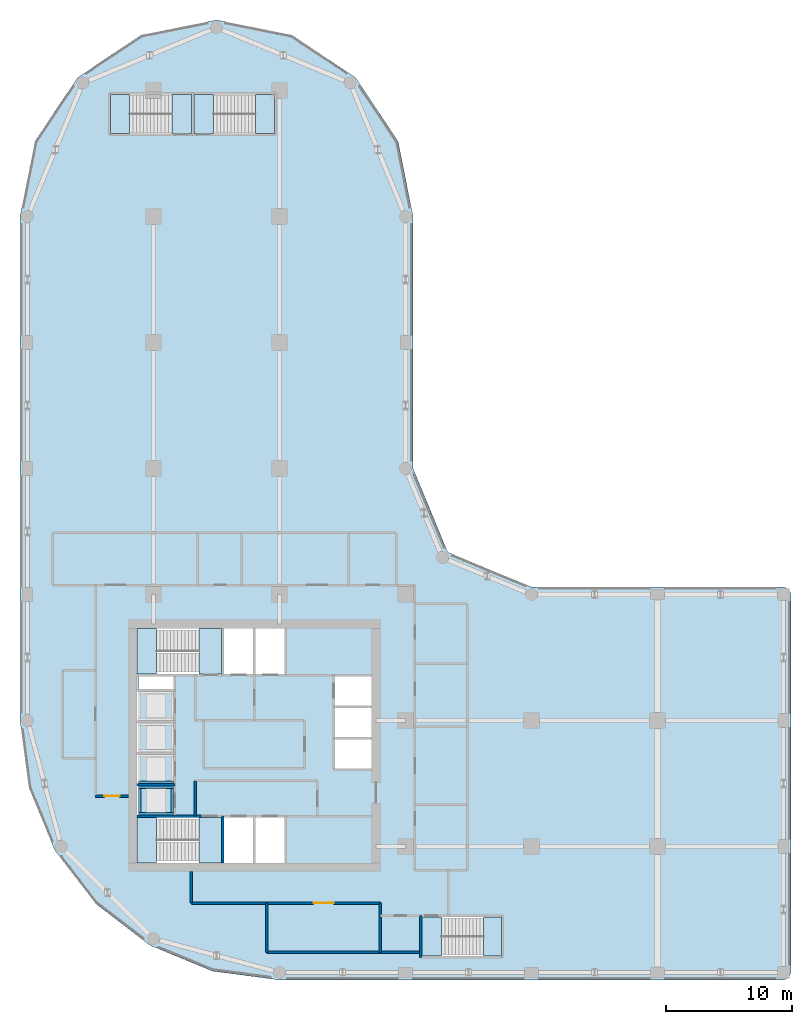
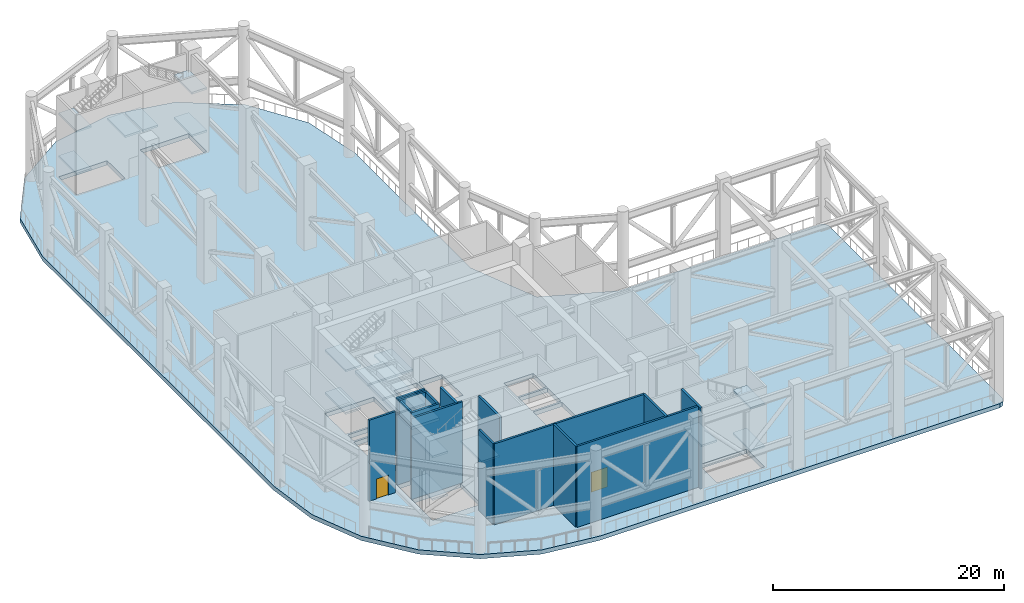
# One storey, part 6 of 13: 20 slabs, 16 walls, 2 doors, 2 openings, 5 elements without a shape of their own.
"""IFC4 building model written with IfcOpenShell, lengths in metres."""

from ifc_helpers import new_model, si_unit, direction, frame, frame_2d, origin, place, context, subcontext, project, spatial, polyline, rectangle, outline, extrude, material, layer, layer_set, type_object, element, fill, aggregate, save


model = new_model("IFC4")

# Units and contexts
model_context = context("Model", 3, precision=1e-05, world=origin(), true_north=direction((0.0, 1.0)))
body_context = subcontext(model_context, "Body", "Model", "MODEL_VIEW")
ifc_project = project(units=[si_unit("LENGTHUNIT", "METRE"), si_unit("AREAUNIT", "SQUARE_METRE"), si_unit("VOLUMEUNIT", "CUBIC_METRE"), si_unit("PLANEANGLEUNIT", "RADIAN"), si_unit("MASSUNIT", "GRAM", prefix="KILO")], contexts=[model_context])

# Site, building, storey
site_placement = place(None, origin())
site = spatial("IfcSite", under=ifc_project, at=site_placement, CompositionType="ELEMENT")
building_placement = place(site_placement, origin())
building = spatial("IfcBuilding", under=site, at=building_placement, Name="Qaws Garden Tower", CompositionType="ELEMENT")
storey_placement = place(building_placement, frame((0.0, 0.0, 237.0)))
storey = spatial("IfcBuildingStorey", under=building, at=storey_placement, Name="L58", CompositionType="ELEMENT", Elevation=237.0)

# Slabs
ifc_material_1 = material(Name="Concrete C45", Category="concrete")
ifc_layer_1 = layer(ifc_material_1, 0.449951171875)
ifc_layer_set_1 = layer_set([ifc_layer_1], Name="Concrete C45")
slab_type_1 = type_object("IfcSlabType", Name="Floor slab 450 C45", PredefinedType="FLOOR", material=ifc_layer_set_1)
slab_1_placement = place(storey_placement, frame((0.0, 0.0, -0.449951171875)))
element("IfcSlab", 1, at=slab_1_placement, inside=storey, type_object=slab_type_1, Name="Floor slab L58", PredefinedType="FLOOR", context=body_context, shape_type="SweptSolid", body=[
    extrude(outline(polyline([(0.101806640625, 14.668212890625), (-0.60009765625, 20.0), (-0.60009765625, 30.60009765625), (-0.60009765625, 60.0), (-0.60009765625, 60.0), (0.58740234375, 65.969970703125), (3.968994140625, 71.031005859375), (9.030029296875, 74.41259765625), (15.0, 75.60009765625), (20.969970703125, 74.41259765625), (26.031005859375, 71.031005859375), (29.41259765625, 65.969970703125), (30.60009765625, 60.0), (30.60009765625, 40.0), (33.353271484375, 33.353271484375), (40.0, 30.60009765625), (60.0, 30.60009765625), (60.42431640625, 30.42431640625), (60.60009765625, 30.0), (60.60009765625, 0.0), (60.42431640625, -0.42431640625), (60.0, -0.60009765625), (30.60009765625, -0.60009765625), (20.0, -0.60009765625), (14.668212890625, 0.101806640625), (9.699951171875, 2.159912109375), (5.43359375, 5.43359375), (2.159912109375, 9.699951171875), (0.101806640625, 14.668212890625)]), holes=[polyline([(13.599609375, 12.300048828125), (8.699951171875, 12.300048828125), (8.699951171875, 8.699951171875), (13.599609375, 8.699951171875), (13.599609375, 12.300048828125)]), polyline([(17.89990234375, 12.300048828125), (15.60009765625, 12.300048828125), (15.60009765625, 8.699951171875), (17.89990234375, 8.699951171875), (17.89990234375, 12.300048828125)]), polyline([(11.60009765625, 14.800048828125), (8.699951171875, 14.800048828125), (8.699951171875, 12.5), (11.60009765625, 12.5), (11.60009765625, 14.800048828125)]), polyline([(11.60009765625, 17.300048828125), (8.699951171875, 17.300048828125), (8.699951171875, 15.0), (11.60009765625, 15.0), (11.60009765625, 17.300048828125)]), polyline([(11.60009765625, 19.800048828125), (8.699951171875, 19.800048828125), (8.699951171875, 17.5), (11.60009765625, 17.5), (11.60009765625, 19.800048828125)]), polyline([(11.60009765625, 22.300048828125), (8.699951171875, 22.300048828125), (8.699951171875, 20.0), (11.60009765625, 20.0), (11.60009765625, 22.300048828125)]), polyline([(11.60009765625, 23.5), (8.800048828125, 23.5), (8.800048828125, 22.5), (11.60009765625, 22.5), (11.60009765625, 23.5)]), polyline([(13.599609375, 27.300048828125), (8.699951171875, 27.300048828125), (8.699951171875, 23.699951171875), (13.599609375, 23.699951171875), (13.599609375, 27.300048828125)]), polyline([(11.449462890625, 69.699951171875), (6.60009765625, 69.699951171875), (6.60009765625, 66.60009765625), (11.449462890625, 66.60009765625), (11.449462890625, 69.699951171875)]), polyline([(37.60009765625, 4.39990234375), (32.8505859375, 4.39990234375), (32.8505859375, 1.300048828125), (37.60009765625, 1.300048828125), (37.60009765625, 4.39990234375)]), polyline([(20.39990234375, 12.300048828125), (18.10009765625, 12.300048828125), (18.10009765625, 8.699951171875), (20.39990234375, 8.699951171875), (20.39990234375, 12.300048828125)]), polyline([(27.300048828125, 18.5), (24.39990234375, 18.5), (24.39990234375, 16.199951171875), (27.300048828125, 16.199951171875), (27.300048828125, 18.5)]), polyline([(27.300048828125, 21.0), (24.39990234375, 21.0), (24.39990234375, 18.699951171875), (27.300048828125, 18.699951171875), (27.300048828125, 21.0)]), polyline([(27.300048828125, 23.5), (24.39990234375, 23.5), (24.39990234375, 21.199951171875), (27.300048828125, 21.199951171875), (27.300048828125, 23.5)]), polyline([(17.89990234375, 27.300048828125), (15.60009765625, 27.300048828125), (15.60009765625, 23.699951171875), (17.89990234375, 23.699951171875), (17.89990234375, 27.300048828125)]), polyline([(20.39990234375, 23.699951171875), (20.39990234375, 27.300048828125), (18.10009765625, 27.300048828125), (18.10009765625, 23.699951171875), (20.39990234375, 23.699951171875)]), polyline([(19.60009765625, 66.60009765625), (19.60009765625, 69.699951171875), (14.75048828125, 69.699951171875), (14.75048828125, 66.60009765625), (19.60009765625, 66.60009765625)])]), origin(), (0.0, 0.0, 1.0), 0.449951171875),
])
ifc_material_2 = material(Name="Concrete C60", Category="concrete")
ifc_layer_2 = layer(ifc_material_2, 0.300048828125)
ifc_layer_set_2 = layer_set([ifc_layer_2], Name="Concrete C60")
slab_type_2 = type_object("IfcSlabType", Name="Lift pit floor 300", PredefinedType="USERDEFINED", material=ifc_layer_set_2)
placement_1 = place(storey_placement, frame((0.0, 0.0, 7.199951171875)))
element("IfcSlab", 2, at=placement_1, inside=storey, type_object=slab_type_2, Name="Lift W1 pit floor", ObjectType="Lift pit floor", PredefinedType="USERDEFINED", context=body_context, shape_type="SweptSolid", body=[
    extrude(outline(polyline([(8.800048828125, 12.5), (11.60009765625, 12.5), (11.60009765625, 14.800048828125), (8.800048828125, 14.800048828125), (8.800048828125, 12.5)])), origin(), (0.0, 0.0, 1.0), 0.300048828125),
])
element("IfcSlab", 3, at=placement_1, inside=storey, type_object=slab_type_2, Name="Lift W2 pit floor", ObjectType="Lift pit floor", PredefinedType="USERDEFINED", context=body_context, shape_type="SweptSolid", body=[
    extrude(outline(polyline([(8.800048828125, 15.0), (11.60009765625, 15.0), (11.60009765625, 17.300048828125), (8.800048828125, 17.300048828125), (8.800048828125, 15.0)])), origin(), (0.0, 0.0, 1.0), 0.300048828125),
])
element("IfcSlab", 4, at=placement_1, inside=storey, type_object=slab_type_2, Name="Lift W3 pit floor", ObjectType="Lift pit floor", PredefinedType="USERDEFINED", context=body_context, shape_type="SweptSolid", body=[
    extrude(outline(polyline([(8.800048828125, 17.5), (11.60009765625, 17.5), (11.60009765625, 19.800048828125), (8.800048828125, 19.800048828125), (8.800048828125, 17.5)])), origin(), (0.0, 0.0, 1.0), 0.300048828125),
])
element("IfcSlab", 5, at=placement_1, inside=storey, type_object=slab_type_2, Name="Lift W4 pit floor", ObjectType="Lift pit floor", PredefinedType="USERDEFINED", context=body_context, shape_type="SweptSolid", body=[
    extrude(outline(polyline([(8.800048828125, 20.0), (11.60009765625, 20.0), (11.60009765625, 22.300048828125), (8.800048828125, 22.300048828125), (8.800048828125, 20.0)])), origin(), (0.0, 0.0, 1.0), 0.300048828125),
])

# Stair, slabs
ifc_material_3 = material(Name="Concrete C40", Category="concrete")
stair_type_1 = type_object("IfcStairType", Name="Exit stair 1500", PredefinedType="HALF_TURN_STAIR", material=ifc_material_3)
placement_2 = place(storey_placement, origin())
stair_1 = element("IfcStair", 6, at=placement_2, inside=storey, type_object=stair_type_1, Name="Stair 1", PredefinedType="HALF_TURN_STAIR")
ifc_material_4 = material(Name="Concrete C40", Category="concrete")
ifc_layer_3 = layer(ifc_material_4, 0.199951171875)
ifc_layer_set_3 = layer_set([ifc_layer_3], Name="Concrete C40")
slab_type_3 = type_object("IfcSlabType", Name="Stair landing 200", PredefinedType="LANDING", material=ifc_layer_set_3)
placement_3 = place(storey_placement, frame((0.0, 0.0, 2.050048828125)))
slab_6 = element("IfcSlab", 7, at=placement_3, type_object=slab_type_3, Name="ST1 landing 1", PredefinedType="LANDING", context=body_context, shape_type="SweptSolid", body=[
    extrude(outline(polyline([(8.699951171875, 8.699951171875), (10.239990234375, 8.699951171875), (10.239990234375, 12.300048828125), (8.699951171875, 12.300048828125), (8.699951171875, 8.699951171875)])), origin(), (0.0, 0.0, 1.0), 0.199951171875),
])
placement_4 = place(storey_placement, frame((0.0, 0.0, 4.300048828125)))
slab_7 = element("IfcSlab", 8, at=placement_4, type_object=slab_type_3, Name="ST1 landing 2", PredefinedType="LANDING", context=body_context, shape_type="SweptSolid", body=[
    extrude(outline(polyline([(13.60009765625, 8.699951171875), (15.39990234375, 8.699951171875), (15.39990234375, 12.300048828125), (13.60009765625, 12.300048828125), (13.60009765625, 8.699951171875)])), origin(), (0.0, 0.0, 1.0), 0.199951171875),
])
placement_5 = place(storey_placement, frame((0.0, 0.0, 6.550048828125)))
slab_8 = element("IfcSlab", 9, at=placement_5, type_object=slab_type_3, Name="ST1 landing 3", PredefinedType="LANDING", context=body_context, shape_type="SweptSolid", body=[
    extrude(outline(polyline([(8.699951171875, 8.699951171875), (10.239990234375, 8.699951171875), (10.239990234375, 12.300048828125), (8.699951171875, 12.300048828125), (8.699951171875, 8.699951171875)])), origin(), (0.0, 0.0, 1.0), 0.199951171875),
])
aggregate(stair_1, [slab_6, slab_7, slab_8])

stair_2 = element("IfcStair", 10, at=placement_2, inside=storey, type_object=stair_type_1, Name="Stair 4", PredefinedType="HALF_TURN_STAIR")
slab_9 = element("IfcSlab", 11, at=placement_3, type_object=slab_type_3, Name="ST4 landing 1", PredefinedType="LANDING", context=body_context, shape_type="SweptSolid", body=[
    extrude(outline(polyline([(8.699951171875, 23.699951171875), (10.239990234375, 23.699951171875), (10.239990234375, 27.300048828125), (8.699951171875, 27.300048828125), (8.699951171875, 23.699951171875)])), origin(), (0.0, 0.0, 1.0), 0.199951171875),
])
slab_10 = element("IfcSlab", 12, at=placement_4, type_object=slab_type_3, Name="ST4 landing 2", PredefinedType="LANDING", context=body_context, shape_type="SweptSolid", body=[
    extrude(outline(polyline([(13.60009765625, 23.699951171875), (15.39990234375, 23.699951171875), (15.39990234375, 27.300048828125), (13.60009765625, 27.300048828125), (13.60009765625, 23.699951171875)])), origin(), (0.0, 0.0, 1.0), 0.199951171875),
])
slab_11 = element("IfcSlab", 13, at=placement_5, type_object=slab_type_3, Name="ST4 landing 3", PredefinedType="LANDING", context=body_context, shape_type="SweptSolid", body=[
    extrude(outline(polyline([(8.699951171875, 23.699951171875), (10.239990234375, 23.699951171875), (10.239990234375, 27.300048828125), (8.699951171875, 27.300048828125), (8.699951171875, 23.699951171875)])), origin(), (0.0, 0.0, 1.0), 0.199951171875),
])
aggregate(stair_2, [slab_9, slab_10, slab_11])

ifc_material_5 = material(Name="Concrete C40", Category="concrete")
stair_type_2 = type_object("IfcStairType", Name="Exit stair 1350", PredefinedType="HALF_TURN_STAIR", material=ifc_material_5)
stair_3 = element("IfcStair", 14, at=placement_2, inside=storey, type_object=stair_type_2, Name="Stair 5", PredefinedType="HALF_TURN_STAIR")
slab_12 = element("IfcSlab", 15, at=placement_3, type_object=slab_type_3, Name="ST5 landing 1", PredefinedType="LANDING", context=body_context, shape_type="SweptSolid", body=[
    extrude(outline(polyline([(36.2099609375, 1.300048828125), (37.60009765625, 1.300048828125), (37.60009765625, 4.39990234375), (36.2099609375, 4.39990234375), (36.2099609375, 1.300048828125)])), origin(), (0.0, 0.0, 1.0), 0.199951171875),
])
slab_13 = element("IfcSlab", 16, at=placement_4, type_object=slab_type_3, Name="ST5 landing 2", PredefinedType="LANDING", context=body_context, shape_type="SweptSolid", body=[
    extrude(outline(polyline([(31.300048828125, 1.300048828125), (32.85009765625, 1.300048828125), (32.85009765625, 4.39990234375), (31.300048828125, 4.39990234375), (31.300048828125, 1.300048828125)])), origin(), (0.0, 0.0, 1.0), 0.199951171875),
])
slab_14 = element("IfcSlab", 17, at=placement_5, type_object=slab_type_3, Name="ST5 landing 3", PredefinedType="LANDING", context=body_context, shape_type="SweptSolid", body=[
    extrude(outline(polyline([(36.2099609375, 1.300048828125), (37.60009765625, 1.300048828125), (37.60009765625, 4.39990234375), (36.2099609375, 4.39990234375), (36.2099609375, 1.300048828125)])), origin(), (0.0, 0.0, 1.0), 0.199951171875),
])
aggregate(stair_3, [slab_12, slab_13, slab_14])

stair_4 = element("IfcStair", 18, at=placement_2, inside=storey, type_object=stair_type_2, Name="Stair 6", PredefinedType="HALF_TURN_STAIR")
slab_15 = element("IfcSlab", 19, at=placement_3, type_object=slab_type_3, Name="ST6 landing 1", PredefinedType="LANDING", context=body_context, shape_type="SweptSolid", body=[
    extrude(outline(polyline([(6.60009765625, 66.60009765625), (8.090087890625, 66.60009765625), (8.090087890625, 69.699951171875), (6.60009765625, 69.699951171875), (6.60009765625, 66.60009765625)])), origin(), (0.0, 0.0, 1.0), 0.199951171875),
])
slab_16 = element("IfcSlab", 20, at=placement_4, type_object=slab_type_3, Name="ST6 landing 2", PredefinedType="LANDING", context=body_context, shape_type="SweptSolid", body=[
    extrude(outline(polyline([(11.449951171875, 66.60009765625), (13.0, 66.60009765625), (13.0, 69.699951171875), (11.449951171875, 69.699951171875), (11.449951171875, 66.60009765625)])), origin(), (0.0, 0.0, 1.0), 0.199951171875),
])
slab_17 = element("IfcSlab", 21, at=placement_5, type_object=slab_type_3, Name="ST6 landing 3", PredefinedType="LANDING", context=body_context, shape_type="SweptSolid", body=[
    extrude(outline(polyline([(6.60009765625, 66.60009765625), (8.090087890625, 66.60009765625), (8.090087890625, 69.699951171875), (6.60009765625, 69.699951171875), (6.60009765625, 66.60009765625)])), origin(), (0.0, 0.0, 1.0), 0.199951171875),
])
aggregate(stair_4, [slab_15, slab_16, slab_17])

stair_5 = element("IfcStair", 22, at=placement_2, inside=storey, type_object=stair_type_2, Name="Stair 7", PredefinedType="HALF_TURN_STAIR")
slab_18 = element("IfcSlab", 23, at=placement_3, type_object=slab_type_3, Name="ST7 landing 1", PredefinedType="LANDING", context=body_context, shape_type="SweptSolid", body=[
    extrude(outline(polyline([(18.110107421875, 66.60009765625), (19.60009765625, 66.60009765625), (19.60009765625, 69.699951171875), (18.110107421875, 69.699951171875), (18.110107421875, 66.60009765625)])), origin(), (0.0, 0.0, 1.0), 0.199951171875),
])
slab_19 = element("IfcSlab", 24, at=placement_4, type_object=slab_type_3, Name="ST7 landing 2", PredefinedType="LANDING", context=body_context, shape_type="SweptSolid", body=[
    extrude(outline(polyline([(13.199951171875, 66.60009765625), (14.75, 66.60009765625), (14.75, 69.699951171875), (13.199951171875, 69.699951171875), (13.199951171875, 66.60009765625)])), origin(), (0.0, 0.0, 1.0), 0.199951171875),
])
slab_20 = element("IfcSlab", 25, at=placement_5, type_object=slab_type_3, Name="ST7 landing 3", PredefinedType="LANDING", context=body_context, shape_type="SweptSolid", body=[
    extrude(outline(polyline([(18.110107421875, 66.60009765625), (19.60009765625, 66.60009765625), (19.60009765625, 69.699951171875), (18.110107421875, 69.699951171875), (18.110107421875, 66.60009765625)])), origin(), (0.0, 0.0, 1.0), 0.199951171875),
])
aggregate(stair_5, [slab_18, slab_19, slab_20])

# Walls
ifc_material_6 = material(Name="Concrete C70", Category="concrete")
ifc_layer_4 = layer(ifc_material_6, 0.199951171875)
ifc_layer_set_4 = layer_set([ifc_layer_4], Name="Concrete C70")
wall_type_1 = type_object("IfcWallType", Name="Core shaft wall 200 C70", PredefinedType="SHEAR", material=ifc_layer_set_4)
wall_1_placement = place(storey_placement, frame((8.699951171875, 12.39990234375, 0.0), z_axis=(0.0, 0.0, 1.0), x_axis=(1.0, 0.0, 0.0)))
element("IfcWall", 26, at=wall_1_placement, inside=storey, type_object=wall_type_1, Name="Shaft wall", PredefinedType="SHEAR", context=body_context, shape_type="SweptSolid", body=[
    extrude(rectangle(XDim=5.10009765625, YDim=0.199951171875, at=frame_2d((2.550048828125, 0.0))), origin(), (0.0, 0.0, 1.0), 8.550048828125),
])
wall_2_placement = place(storey_placement, frame((8.699951171875, 14.89990234375, 0.0), z_axis=(0.0, 0.0, 1.0), x_axis=(1.0, 0.0, 0.0)))
element("IfcWall", 27, at=wall_2_placement, inside=storey, type_object=wall_type_1, Name="Shaft wall", PredefinedType="SHEAR", context=body_context, shape_type="SweptSolid", body=[
    extrude(rectangle(XDim=3.0, YDim=0.199951171875, at=frame_2d((1.5, 0.0))), origin(), (0.0, 0.0, 1.0), 8.550048828125),
])
wall_3_placement = place(storey_placement, frame((13.300048828125, 12.39990234375, 0.0), z_axis=(0.0, 0.0, 1.0), x_axis=(0.0, 1.0, 0.0)))
element("IfcWall", 28, at=wall_3_placement, inside=storey, type_object=wall_type_1, Name="Shaft wall", PredefinedType="SHEAR", context=body_context, shape_type="SweptSolid", body=[
    extrude(rectangle(XDim=2.800048828125, YDim=0.199951171875, at=frame_2d((1.39990234375, 0.0))), origin(), (0.0, 0.0, 1.0), 8.550048828125),
])
wall_4_placement = place(storey_placement, frame((15.5, 8.699951171875, 0.0), z_axis=(0.0, 0.0, 1.0), x_axis=(0.0, 1.0, 0.0)))
element("IfcWall", 29, at=wall_4_placement, inside=storey, type_object=wall_type_1, Name="Shaft wall", PredefinedType="SHEAR", context=body_context, shape_type="SweptSolid", body=[
    extrude(rectangle(XDim=3.699951171875, YDim=0.199951171875, at=frame_2d((1.85009765625, 0.0))), origin(), (0.0, 0.0, 1.0), 8.550048828125),
])
wall_5_placement = place(storey_placement, frame((31.199951171875, 1.199951171875, 0.0), z_axis=(0.0, 0.0, 1.0), x_axis=(0.0, 1.0, 0.0)))
element("IfcWall", 30, at=wall_5_placement, inside=storey, type_object=wall_type_1, Name="Shaft wall", PredefinedType="SHEAR", context=body_context, shape_type="SweptSolid", body=[
    extrude(rectangle(XDim=3.300048828125, YDim=0.199951171875, at=frame_2d((1.64990234375, 0.0))), origin(), (0.0, 0.0, 1.0), 8.550048828125),
])
ifc_material_7 = material(Name="Concrete C60", Category="concrete")
ifc_layer_5 = layer(ifc_material_7, 0.199951171875)
ifc_layer_set_5 = layer_set([ifc_layer_5], Name="Concrete C60")
wall_type_2 = type_object("IfcWallType", Name="Lift pit wall 200", PredefinedType="SOLIDWALL", material=ifc_layer_set_5)
for number, where, z_axis, x_axis, name in (
    (31, (8.800048828125, 12.60009765625, 7.5), (0.0, 0.0, 1.0), (1.0, 0.0, 0.0), "Lift W1 pit wall"),
    (32, (8.800048828125, 14.699951171875, 7.5), (0.0, 0.0, 1.0), (1.0, 0.0, 0.0), "Lift W1 pit wall"),
):
    element("IfcWall", number, at=place(storey_placement, frame(where, z_axis=z_axis, x_axis=x_axis)), inside=storey, type_object=wall_type_2, Name=name, PredefinedType="SOLIDWALL", context=body_context, shape_type="SweptSolid", body=[
        extrude(rectangle(XDim=2.800048828125, YDim=0.199951171875, at=frame_2d((1.39990234375, 0.0))), origin(), (0.0, 0.0, 1.0), 1.5),
    ])
for number, where, z_axis, x_axis, name in (
    (33, (8.89990234375, 12.699951171875, 7.5), (0.0, 0.0, 1.0), (0.0, 1.0, 0.0), "Lift W1 pit wall"),
    (34, (11.5, 12.699951171875, 7.5), (0.0, 0.0, 1.0), (0.0, 1.0, 0.0), "Lift W1 pit wall"),
):
    element("IfcWall", number, at=place(storey_placement, frame(where, z_axis=z_axis, x_axis=x_axis)), inside=storey, type_object=wall_type_2, Name=name, PredefinedType="SOLIDWALL", context=body_context, shape_type="SweptSolid", body=[
        extrude(rectangle(XDim=1.900146484375, YDim=0.199951171875, at=frame_2d((0.9501953125, 0.0))), origin(), (0.0, 0.0, 1.0), 1.5),
    ])
wall_6_placement = place(storey_placement, frame((8.800048828125, 15.10009765625, 7.5), z_axis=(0.0, 0.0, 1.0), x_axis=(1.0, 0.0, 0.0)))
element("IfcWall", 35, at=wall_6_placement, inside=storey, type_object=wall_type_2, Name="Lift W2 pit wall", PredefinedType="SOLIDWALL", context=body_context, shape_type="SweptSolid", body=[
    extrude(rectangle(XDim=2.800048828125, YDim=0.199951171875, at=frame_2d((1.39990234375, 0.0))), origin(), (0.0, 0.0, 1.0), 1.5),
])

# Wall, opening, door
ifc_material_8 = material(Name="Blockwork", Category="masonry")
ifc_layer_6 = layer(ifc_material_8, 0.199951171875)
ifc_layer_set_6 = layer_set([ifc_layer_6], Name="Blockwork")
wall_type_3 = type_object("IfcWallType", Name="Plant compartment wall 200", PredefinedType="PARTITIONING", material=ifc_layer_set_6)
wall_7_placement = place(storey_placement, frame((5.39990234375, 14.0, 0.0), z_axis=(0.0, 0.0, 1.0), x_axis=(1.0, 0.0, 0.0)))
wall_7 = element("IfcWall", 36, at=wall_7_placement, inside=storey, type_object=wall_type_3, Name="Plant zone wall", PredefinedType="PARTITIONING", context=body_context, shape_type="SweptSolid", body=[
    extrude(rectangle(XDim=2.60009765625, YDim=0.199951171875, at=frame_2d((1.300048828125, 0.0))), origin(), (0.0, 0.0, 1.0), 8.550048828125),
])
opening_1_placement = place(wall_7_placement, frame((0.699951171875, 0.0, 0.0)))
opening_1 = element("IfcOpeningElement", 37, at=opening_1_placement, cuts=wall_7, Name="Opening PZ5812", PredefinedType="OPENING", context=body_context, shape_type="SweptSolid", body=[
    extrude(rectangle(XDim=1.199951171875, YDim=2.10009765625, at=frame_2d((0.60009765625, 1.050048828125))), frame((0.0, 0.10986328125, 0.0), z_axis=(0.0, -1.0, 0.0), x_axis=(1.0, 0.0, 0.0)), (0.0, 0.0, 1.0), 0.219970703125),
])
ifc_material_9 = material(Name="Steel S235", Category="steel")
door_type_1 = type_object("IfcDoorType", Name="Plant door 1200x2100", OperationType="DOUBLE_DOOR_SINGLE_SWING", PredefinedType="DOOR", material=ifc_material_9)
door_1_placement = place(opening_1_placement, frame((1.199951171875, 0.0, 0.0), z_axis=(0.0, 0.0, 1.0), x_axis=(-1.0, 0.0, 0.0)))
door_1 = element("IfcDoor", 38, at=door_1_placement, inside=storey, type_object=door_type_1, Name="Plant corridor door to the open floor", OperationType="DOUBLE_DOOR_SINGLE_SWING", OverallHeight=2.10009765625, OverallWidth=1.199951171875, PredefinedType="DOOR", context=body_context, shape_type="SweptSolid", body=[
    extrude(rectangle(XDim=1.199951171875, YDim=2.10009765625, at=frame_2d((0.60009765625, 1.050048828125))), frame((0.0, 0.02490234375, 0.0), z_axis=(0.0, -1.0, 0.0), x_axis=(1.0, 0.0, 0.0)), (0.0, 0.0, 1.0), 0.050048828125),
])
fill(opening_1, door_1)

wall_8_placement = place(storey_placement, frame((13.0, 5.5, 0.0), z_axis=(0.0, 0.0, 1.0), x_axis=(1.0, 0.0, 0.0)))
wall_8 = element("IfcWall", 39, at=wall_8_placement, inside=storey, type_object=wall_type_3, Name="Plant zone wall", PredefinedType="PARTITIONING", context=body_context, shape_type="SweptSolid", body=[
    extrude(rectangle(XDim=15.0, YDim=0.199951171875, at=frame_2d((7.5, 0.0))), origin(), (0.0, 0.0, 1.0), 8.550048828125),
])
opening_2_placement = place(wall_8_placement, frame((9.699951171875, 0.0, 0.0)))
opening_2 = element("IfcOpeningElement", 40, at=opening_2_placement, cuts=wall_8, Name="Opening PZ5810", PredefinedType="OPENING", context=body_context, shape_type="SweptSolid", body=[
    extrude(rectangle(XDim=1.60009765625, YDim=2.10009765625, at=frame_2d((0.800048828125, 1.050048828125))), frame((0.0, 0.10986328125, 0.0), z_axis=(0.0, -1.0, 0.0), x_axis=(1.0, 0.0, 0.0)), (0.0, 0.0, 1.0), 0.219970703125),
])
ifc_material_10 = material(Name="Steel S235", Category="steel")
door_type_2 = type_object("IfcDoorType", Name="Plant door 1600x2100", OperationType="DOUBLE_DOOR_DOUBLE_SWING", PredefinedType="DOOR", material=ifc_material_10)
door_2_placement = place(opening_2_placement, frame((1.60009765625, 0.0, 0.0), z_axis=(0.0, 0.0, 1.0), x_axis=(-1.0, 0.0, 0.0)))
door_2 = element("IfcDoor", 41, at=door_2_placement, inside=storey, type_object=door_type_2, Name="Boiler plant room door", OperationType="DOUBLE_DOOR_DOUBLE_SWING", OverallHeight=2.10009765625, OverallWidth=1.60009765625, PredefinedType="DOOR", context=body_context, shape_type="SweptSolid", body=[
    extrude(rectangle(XDim=1.60009765625, YDim=2.10009765625, at=frame_2d((0.800048828125, 1.050048828125))), frame((0.0, 0.02490234375, 0.0), z_axis=(0.0, -1.0, 0.0), x_axis=(1.0, 0.0, 0.0)), (0.0, 0.0, 1.0), 0.050048828125),
])
fill(opening_2, door_2)

# Walls
wall_9_placement = place(storey_placement, frame((19.0, 1.60009765625, 0.0), z_axis=(0.0, 0.0, 1.0), x_axis=(1.0, 0.0, 0.0)))
element("IfcWall", 42, at=wall_9_placement, inside=storey, type_object=wall_type_3, Name="Plant zone wall", PredefinedType="PARTITIONING", context=body_context, shape_type="SweptSolid", body=[
    extrude(rectangle(XDim=12.14990234375, YDim=0.199951171875, at=frame_2d((6.074951171875, 0.0))), origin(), (0.0, 0.0, 1.0), 8.550048828125),
])
wall_10_placement = place(storey_placement, frame((13.0, 5.5, 0.0), z_axis=(0.0, 0.0, 1.0), x_axis=(0.0, 1.0, 0.0)))
element("IfcWall", 43, at=wall_10_placement, inside=storey, type_object=wall_type_3, Name="Plant zone wall", PredefinedType="PARTITIONING", context=body_context, shape_type="SweptSolid", body=[
    extrude(rectangle(XDim=2.5, YDim=0.199951171875, at=frame_2d((1.25, 0.0))), origin(), (0.0, 0.0, 1.0), 8.550048828125),
])
for number, where, z_axis, x_axis, name in (
    (44, (19.0, 1.60009765625, 0.0), (0.0, 0.0, 1.0), (0.0, 1.0, 0.0), "Plant zone wall"),
    (45, (28.0, 1.60009765625, 0.0), (0.0, 0.0, 1.0), (0.0, 1.0, 0.0), "Plant zone wall"),
):
    element("IfcWall", number, at=place(storey_placement, frame(where, z_axis=z_axis, x_axis=x_axis)), inside=storey, type_object=wall_type_3, Name=name, PredefinedType="PARTITIONING", context=body_context, shape_type="SweptSolid", body=[
        extrude(rectangle(XDim=3.89990234375, YDim=0.199951171875, at=frame_2d((1.949951171875, 0.0))), origin(), (0.0, 0.0, 1.0), 8.550048828125),
    ])

save(model, "model.ifc")
